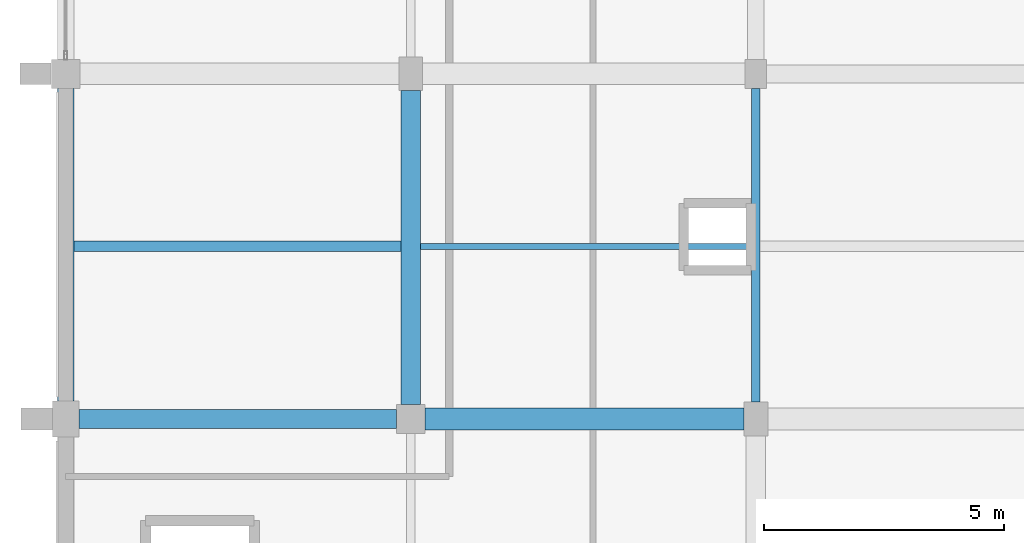
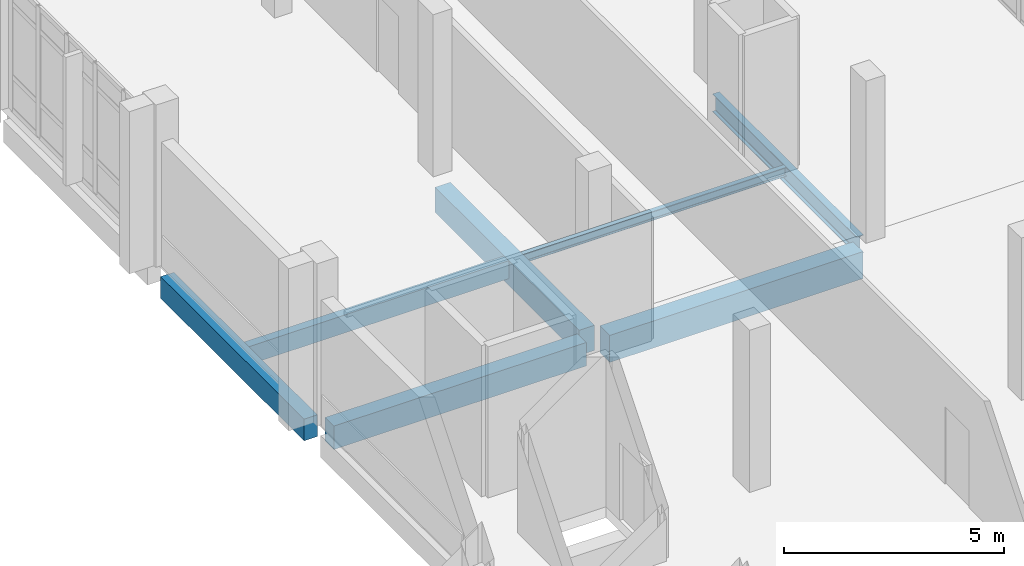
# One storey, part 13 of 57: 7 beams.
"""IFC4 building model written with IfcOpenShell, lengths in metres."""

from ifc_helpers import new_model, si_unit, direction, frame, origin, origin_2d, place, context, subcontext, project, spatial, rectangle, i_section, extrude, material, material_profile, profile_set, type_object, element, save


model = new_model("IFC4")

# Units and contexts
model_context = context("Model", 3, precision=1e-05, world=origin(), true_north=direction((0.0, 1.0)))
body_context = subcontext(model_context, "Body", "Model", "MODEL_VIEW")
ifc_project = project(units=[si_unit("LENGTHUNIT", "METRE"), si_unit("AREAUNIT", "SQUARE_METRE"), si_unit("VOLUMEUNIT", "CUBIC_METRE"), si_unit("PLANEANGLEUNIT", "RADIAN"), si_unit("MASSUNIT", "GRAM", prefix="KILO")], contexts=[model_context])

# Site, building, storey
site_placement = place(None, origin())
site = spatial("IfcSite", under=ifc_project, at=site_placement, CompositionType="ELEMENT")
building_placement = place(site_placement, origin())
building = spatial("IfcBuilding", under=site, at=building_placement, Name="Kalluvel Institute of Natural Sciences", CompositionType="ELEMENT")
storey_placement = place(building_placement, frame((0.0, 0.0, 23.39990234375)))
storey = spatial("IfcBuildingStorey", under=building, at=storey_placement, Name="L05", CompositionType="ELEMENT", Elevation=23.39990234375)

# Beams
ifc_material_1 = material(Name="Steel E350 Grade 350", Category="steel")
ifc_material_profile_1 = material_profile(ifc_material_1, i_section(OverallWidth=0.179931640625, OverallDepth=0.5, WebThickness=0.01025390625, FlangeThickness=0.01708984375, FilletRadius=0.01708984375, at=origin_2d()), Name="ISMB 500")
ifc_profile_set_1 = profile_set([ifc_material_profile_1], Name="Steel E350 Grade 350")
beam_type_1 = type_object("IfcBeamType", Name="BM-ISMB500", PredefinedType="BEAM", material=ifc_profile_set_1)
beam_1_placement = place(storey_placement, frame((28.39990234375, 64.75, -0.5498046875), z_axis=(0.0, 1.0, 0.0), x_axis=(-1.0, 0.0, 0.0)))
element("IfcBeam", 1, at=beam_1_placement, inside=storey, type_object=beam_type_1, Name="L05 girder GIR-L05-NS-X284-Y644", PredefinedType="BEAM", context=body_context, shape_type="SweptSolid", body=[
    extrude(i_section(OverallWidth=0.179931640625, OverallDepth=0.5, WebThickness=0.01025390625, FlangeThickness=0.01708984375, FilletRadius=0.01708984375, at=origin_2d()), origin(), (0.0, 0.0, 1.0), 6.550048828125),
])
ifc_material_2 = material(Name="Concrete M40", Category="concrete")
ifc_material_profile_2 = material_profile(ifc_material_2, rectangle(XDim=0.39990234375, YDim=0.64990234375, at=origin_2d()), Name="RCB 400x650")
ifc_profile_set_2 = profile_set([ifc_material_profile_2], Name="Concrete M40")
beam_type_2 = type_object("IfcBeamType", Name="BM-RC400x650", PredefinedType="BEAM", material=ifc_profile_set_2)
beam_2_placement = place(storey_placement, frame((14.27490234375, 64.39990234375, -0.625), z_axis=(1.0, 0.0, 0.0), x_axis=(0.0, 1.0, 0.0)))
element("IfcBeam", 2, at=beam_2_placement, inside=storey, type_object=beam_type_2, Name="L05 girder GIR-L05-EW-X140-Y644", PredefinedType="BEAM", context=body_context, shape_type="SweptSolid", body=[
    extrude(rectangle(XDim=0.39990234375, YDim=0.64990234375, at=origin_2d()), origin(), (0.0, 0.0, 1.0), 6.625),
])
ifc_material_profile_3 = material_profile(ifc_material_2, rectangle(XDim=0.39990234375, YDim=0.699951171875, at=origin_2d()), Name="RCB 400x700")
ifc_profile_set_3 = profile_set([ifc_material_profile_3], Name="Concrete M40")
beam_type_3 = type_object("IfcBeamType", Name="BM-RC400x700", PredefinedType="BEAM", material=ifc_profile_set_3)
beam_3_placement = place(storey_placement, frame((21.199951171875, 64.699951171875, -0.64990234375), z_axis=(0.0, 1.0, 0.0), x_axis=(-1.0, 0.0, 0.0)))
element("IfcBeam", 3, at=beam_3_placement, inside=storey, type_object=beam_type_3, Name="L05 girder GIR-L05-NS-X212-Y644", PredefinedType="BEAM", context=body_context, shape_type="SweptSolid", body=[
    extrude(rectangle(XDim=0.39990234375, YDim=0.699951171875, at=origin_2d()), origin(), (0.0, 0.0, 1.0), 6.550048828125),
])
ifc_material_profile_4 = material_profile(ifc_material_2, rectangle(XDim=0.449951171875, YDim=0.75, at=origin_2d()), Name="RCB 450x750")
ifc_profile_set_4 = profile_set([ifc_material_profile_4], Name="Concrete M40")
beam_type_4 = type_object("IfcBeamType", Name="BM-RC450x750", PredefinedType="BEAM", material=ifc_profile_set_4)
beam_4_placement = place(storey_placement, frame((21.5, 64.39990234375, -0.6748046875), z_axis=(1.0, 0.0, 0.0), x_axis=(0.0, 1.0, 0.0)))
element("IfcBeam", 4, at=beam_4_placement, inside=storey, type_object=beam_type_4, Name="L05 girder GIR-L05-EW-X212-Y644", PredefinedType="BEAM", context=body_context, shape_type="SweptSolid", body=[
    extrude(rectangle(XDim=0.449951171875, YDim=0.75, at=origin_2d()), origin(), (0.0, 0.0, 1.0), 6.64990234375),
])
ifc_material_profile_5 = material_profile(ifc_material_2, rectangle(XDim=0.35009765625, YDim=0.60009765625, at=origin_2d()), Name="RCB 350x600")
ifc_profile_set_5 = profile_set([ifc_material_profile_5], Name="Concrete M40")
beam_type_5 = type_object("IfcBeamType", Name="SP-RC350x600", PredefinedType="SPANDREL", material=ifc_profile_set_5)
beam_5_placement = place(storey_placement, frame((14.0, 64.77490234375, -0.599853515625), z_axis=(0.0, 1.0, 0.0), x_axis=(-1.0, 0.0, 0.0)))
element("IfcBeam", 5, at=beam_5_placement, inside=storey, type_object=beam_type_5, Name="L05 girder GIR-L05-NS-X140-Y644", PredefinedType="SPANDREL", context=body_context, shape_type="SweptSolid", body=[
    extrude(rectangle(XDim=0.35009765625, YDim=0.60009765625, at=origin_2d()), origin(), (0.0, 0.0, 1.0), 6.525146484375),
])
ifc_material_profile_6 = material_profile(ifc_material_2, rectangle(XDim=0.219970703125, YDim=0.5, at=origin_2d()), Name="WAF 220x500")
ifc_profile_set_6 = profile_set([ifc_material_profile_6], Name="Concrete M40")
beam_type_6 = type_object("IfcBeamType", Name="WJ-220x500", PredefinedType="JOIST", material=ifc_profile_set_6)
beam_6_placement = place(storey_placement, frame((14.175048828125, 68.0, -0.5498046875), z_axis=(1.0, 0.0, 0.0), x_axis=(0.0, 1.0, 0.0)))
element("IfcBeam", 6, at=beam_6_placement, inside=storey, type_object=beam_type_6, Name="L05 floor rib RIB-L05-0746", PredefinedType="JOIST", context=body_context, shape_type="SweptSolid", body=[
    extrude(rectangle(XDim=0.219970703125, YDim=0.5, at=origin_2d()), origin(), (0.0, 0.0, 1.0), 6.824951171875),
])
ifc_material_profile_7 = material_profile(ifc_material_1, i_section(OverallWidth=0.125, OverallDepth=0.25, WebThickness=0.0068359375, FlangeThickness=0.012451171875, FilletRadius=0.012939453125, at=origin_2d()), Name="ISMB 250")
ifc_profile_set_7 = profile_set([ifc_material_profile_7], Name="Steel E350 Grade 350")
beam_type_7 = type_object("IfcBeamType", Name="WJ-ISMB250", PredefinedType="JOIST", material=ifc_profile_set_7)
beam_7_placement = place(storey_placement, frame((21.39990234375, 68.0, -0.4248046875), z_axis=(1.0, 0.0, 0.0), x_axis=(0.0, 1.0, 0.0)))
element("IfcBeam", 7, at=beam_7_placement, inside=storey, type_object=beam_type_7, Name="L05 floor rib RIB-L05-0747", PredefinedType="JOIST", context=body_context, shape_type="SweptSolid", body=[
    extrude(i_section(OverallWidth=0.125, OverallDepth=0.25, WebThickness=0.0068359375, FlangeThickness=0.012451171875, FilletRadius=0.012939453125, at=origin_2d()), origin(), (0.0, 0.0, 1.0), 6.91015625),
])

save(model, "model.ifc")
